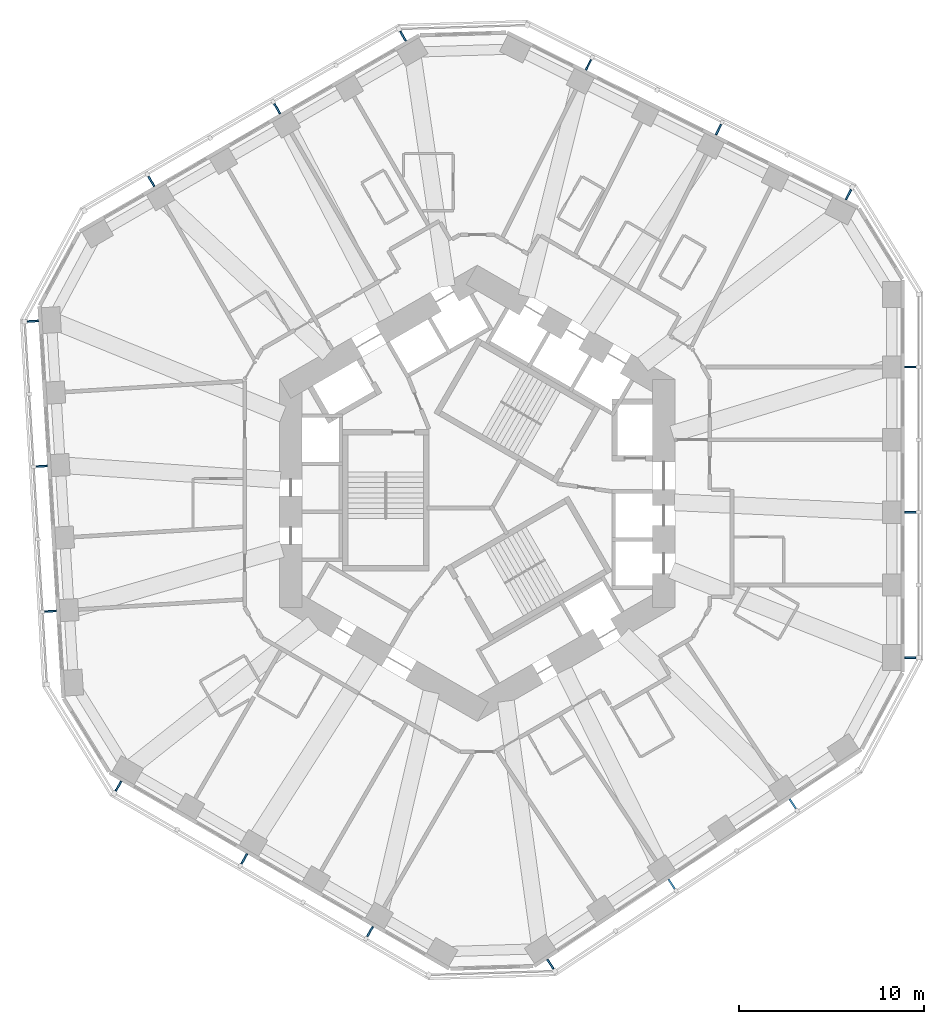
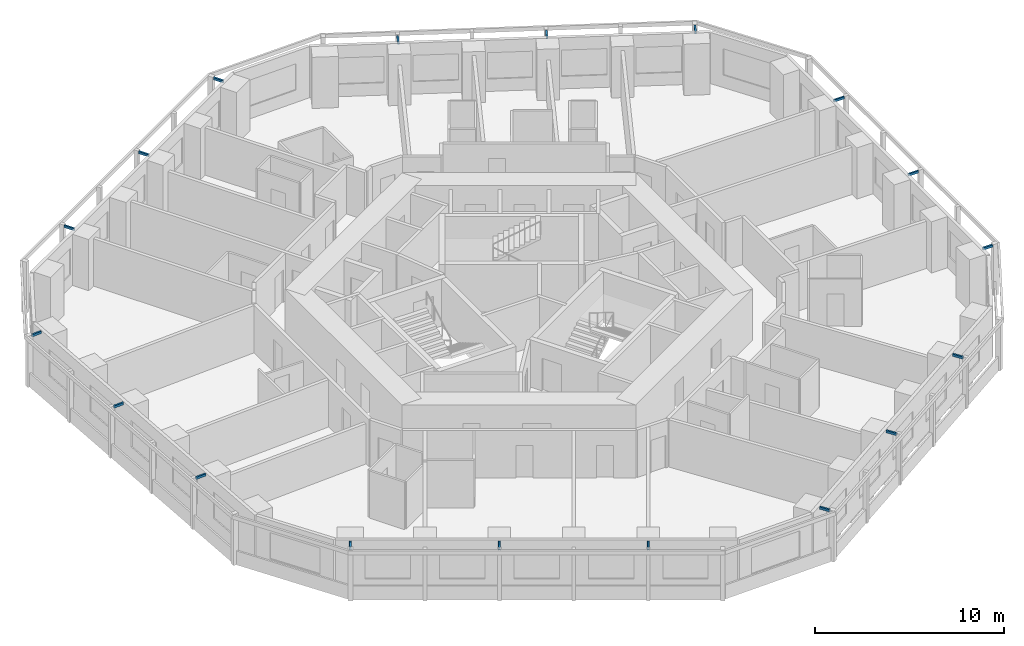
# One storey, part 11 of 12: 18 discrete accessories.
"""IFC4 building model written with IfcOpenShell, lengths in metres."""

from ifc_helpers import new_model, si_unit, direction, frame, origin, origin_2d, place, context, subcontext, project, spatial, rectangle, extrude, material, type_object, element, save


model = new_model("IFC4")

# Units and contexts
model_context = context("Model", 3, precision=1e-05, world=origin(), true_north=direction((0.0, 1.0)))
body_context = subcontext(model_context, "Body", "Model", "MODEL_VIEW")
ifc_project = project(units=[si_unit("LENGTHUNIT", "METRE"), si_unit("AREAUNIT", "SQUARE_METRE"), si_unit("VOLUMEUNIT", "CUBIC_METRE"), si_unit("PLANEANGLEUNIT", "RADIAN"), si_unit("MASSUNIT", "GRAM", prefix="KILO")], contexts=[model_context])

# Site, building, storey
site_placement = place(None, origin())
site = spatial("IfcSite", under=ifc_project, at=site_placement, CompositionType="ELEMENT")
building_placement = place(site_placement, origin())
building = spatial("IfcBuilding", under=site, at=building_placement, Name="Vanh Sen Convention Tower", CompositionType="ELEMENT")
storey_placement = place(building_placement, frame((0.0, 0.0, 67.10009765625)))
storey = spatial("IfcBuildingStorey", under=building, at=storey_placement, Name="L14", CompositionType="ELEMENT", Elevation=67.10009765625)

# Discrete accessories
ifc_material = material(Name="Steel S355", Category="steel")
discrete_accessory_type = type_object("IfcDiscreteAccessoryType", Name="Fin bracket 100 x 150", PredefinedType="BRACKET", material=ifc_material)
discrete_accessory_1_placement = place(storey_placement, frame((23.449951171875, -8.899169921875, 3.099853515625), z_axis=(0.0, 0.0, 1.0), x_axis=(1.0, 0.0, 0.0)))
element("IfcDiscreteAccessory", 1, at=discrete_accessory_1_placement, inside=storey, type_object=discrete_accessory_type, Name="Fin bracket E-1 L14", PredefinedType="BRACKET", context=body_context, shape_type="SweptSolid", body=[
    extrude(rectangle(XDim=0.60009765625, YDim=0.10009765625, at=origin_2d()), origin(), (0.0, 0.0, 1.0), 0.14990234375),
])
for number, where, z_axis, x_axis, name in (
    (2, (23.46240234375, -1.030029296875, 3.099853515625), (0.0, 0.0, 1.0), (1.0, 0.0, 0.0), "Fin bracket E-3 L14"),
    (3, (23.46240234375, 6.839111328125, 3.099853515625), (0.0, 0.0, 1.0), (1.0, 0.0, 0.0), "Fin bracket E-5 L14"),
):
    element("IfcDiscreteAccessory", number, at=place(storey_placement, frame(where, z_axis=z_axis, x_axis=x_axis)), inside=storey, type_object=discrete_accessory_type, Name=name, PredefinedType="BRACKET", context=body_context, shape_type="SweptSolid", body=[
        extrude(rectangle(XDim=0.625, YDim=0.10009765625, at=origin_2d()), origin(), (0.0, 0.0, 1.0), 0.14990234375),
    ])
discrete_accessory_2_placement = place(storey_placement, frame((20.10498046875, 16.178955078125, 3.099853515625), z_axis=(0.0, 0.0, 1.0), x_axis=(0.44619781311, 0.894934361602, 0.0)))
element("IfcDiscreteAccessory", 4, at=discrete_accessory_2_placement, inside=storey, type_object=discrete_accessory_type, Name="Fin bracket NE-1 L14", PredefinedType="BRACKET", context=body_context, shape_type="SweptSolid", body=[
    extrude(rectangle(XDim=0.60009765625, YDim=0.10009765625, at=origin_2d()), origin(), (0.0, 0.0, 1.0), 0.14990234375),
])
for number, where, z_axis, x_axis, name in (
    (5, (13.068359375, 19.701416015625, 3.099853515625), (0.0, 0.0, 1.0), (0.44619781311, 0.894934361602, 0.0), "Fin bracket NE-3 L14"),
    (6, (6.02587890625, 23.212646484375, 3.099853515625), (0.0, 0.0, 1.0), (0.44619781311, 0.894934361602, 0.0), "Fin bracket NE-5 L14"),
):
    element("IfcDiscreteAccessory", number, at=place(storey_placement, frame(where, z_axis=z_axis, x_axis=x_axis)), inside=storey, type_object=discrete_accessory_type, Name=name, PredefinedType="BRACKET", context=body_context, shape_type="SweptSolid", body=[
        extrude(rectangle(XDim=0.625, YDim=0.10009765625, at=origin_2d()), origin(), (0.0, 0.0, 1.0), 0.14990234375),
    ])
discrete_accessory_3_placement = place(storey_placement, frame((-4.01806640625, 24.7578125, 3.099853515625), z_axis=(0.0, 0.0, 1.0), x_axis=(-0.5, 0.866025403784, 0.0)))
element("IfcDiscreteAccessory", 7, at=discrete_accessory_3_placement, inside=storey, type_object=discrete_accessory_type, Name="Fin bracket NW-1 L14", PredefinedType="BRACKET", context=body_context, shape_type="SweptSolid", body=[
    extrude(rectangle(XDim=0.60009765625, YDim=0.10009765625, at=origin_2d()), origin(), (0.0, 0.0, 1.0), 0.14990234375),
])
for number, where, z_axis, x_axis, name in (
    (8, (-10.839111328125, 20.834228515625, 3.099853515625), (0.0, 0.0, 1.0), (-0.5, 0.866025403784, 0.0), "Fin bracket NW-3 L14"),
    (9, (-17.654296875, 16.899658203125, 3.099853515625), (0.0, 0.0, 1.0), (-0.5, 0.866025403784, 0.0), "Fin bracket NW-5 L14"),
):
    element("IfcDiscreteAccessory", number, at=place(storey_placement, frame(where, z_axis=z_axis, x_axis=x_axis)), inside=storey, type_object=discrete_accessory_type, Name=name, PredefinedType="BRACKET", context=body_context, shape_type="SweptSolid", body=[
        extrude(rectangle(XDim=0.625, YDim=0.10009765625, at=origin_2d()), origin(), (0.0, 0.0, 1.0), 0.14990234375),
    ])
discrete_accessory_4_placement = place(storey_placement, frame((-24.06396484375, 9.322021484375, 3.099853515625), z_axis=(0.0, 0.0, 1.0), x_axis=(-0.998134798422, -0.061048539535, 0.0)))
element("IfcDiscreteAccessory", 10, at=discrete_accessory_4_placement, inside=storey, type_object=discrete_accessory_type, Name="Fin bracket W-1 L14", PredefinedType="BRACKET", context=body_context, shape_type="SweptSolid", body=[
    extrude(rectangle(XDim=0.60009765625, YDim=0.10009765625, at=origin_2d()), origin(), (0.0, 0.0, 1.0), 0.14990234375),
])
for number, where, z_axis, x_axis, name in (
    (11, (-23.595947265625, 1.466796875, 3.099853515625), (0.0, 0.0, 1.0), (-0.998134798422, -0.061048539535, 0.0), "Fin bracket W-3 L14"),
    (12, (-23.115478515625, -6.3876953125, 3.099853515625), (0.0, 0.0, 1.0), (-0.998134798422, -0.061048539535, 0.0), "Fin bracket W-5 L14"),
):
    element("IfcDiscreteAccessory", number, at=place(storey_placement, frame(where, z_axis=z_axis, x_axis=x_axis)), inside=storey, type_object=discrete_accessory_type, Name=name, PredefinedType="BRACKET", context=body_context, shape_type="SweptSolid", body=[
        extrude(rectangle(XDim=0.625, YDim=0.10009765625, at=origin_2d()), origin(), (0.0, 0.0, 1.0), 0.14990234375),
    ])
discrete_accessory_5_placement = place(storey_placement, frame((-19.431884765625, -15.858642578125, 3.099853515625), z_axis=(0.0, 0.0, 1.0), x_axis=(-0.5, -0.866025403784, 0.0)))
element("IfcDiscreteAccessory", 13, at=discrete_accessory_5_placement, inside=storey, type_object=discrete_accessory_type, Name="Fin bracket SW-1 L14", PredefinedType="BRACKET", context=body_context, shape_type="SweptSolid", body=[
    extrude(rectangle(XDim=0.60009765625, YDim=0.10009765625, at=origin_2d()), origin(), (0.0, 0.0, 1.0), 0.14990234375),
])
for number, where, z_axis, x_axis, name in (
    (14, (-12.623291015625, -19.80419921875, 3.099853515625), (0.0, 0.0, 1.0), (-0.5, -0.866025403784, 0.0), "Fin bracket SW-3 L14"),
    (15, (-5.808349609375, -23.73876953125, 3.099853515625), (0.0, 0.0, 1.0), (-0.5, -0.866025403784, 0.0), "Fin bracket SW-5 L14"),
):
    element("IfcDiscreteAccessory", number, at=place(storey_placement, frame(where, z_axis=z_axis, x_axis=x_axis)), inside=storey, type_object=discrete_accessory_type, Name=name, PredefinedType="BRACKET", context=body_context, shape_type="SweptSolid", body=[
        extrude(rectangle(XDim=0.625, YDim=0.10009765625, at=origin_2d()), origin(), (0.0, 0.0, 1.0), 0.14990234375),
    ])
discrete_accessory_6_placement = place(storey_placement, frame((3.958740234375, -25.5009765625, 3.099853515625), z_axis=(0.0, 0.0, 1.0), x_axis=(0.551936985312, -0.833885822067, 0.0)))
element("IfcDiscreteAccessory", 16, at=discrete_accessory_6_placement, inside=storey, type_object=discrete_accessory_type, Name="Fin bracket SE-1 L14", PredefinedType="BRACKET", context=body_context, shape_type="SweptSolid", body=[
    extrude(rectangle(XDim=0.60009765625, YDim=0.10009765625, at=origin_2d()), origin(), (0.0, 0.0, 1.0), 0.14990234375),
])
for number, where, z_axis, x_axis, name in (
    (17, (10.527587890625, -21.168212890625, 3.099853515625), (0.0, 0.0, 1.0), (0.551936985312, -0.833885822067, 0.0), "Fin bracket SE-3 L14"),
    (18, (17.089599609375, -16.824951171875, 3.099853515625), (0.0, 0.0, 1.0), (0.551936985312, -0.833885822067, 0.0), "Fin bracket SE-5 L14"),
):
    element("IfcDiscreteAccessory", number, at=place(storey_placement, frame(where, z_axis=z_axis, x_axis=x_axis)), inside=storey, type_object=discrete_accessory_type, Name=name, PredefinedType="BRACKET", context=body_context, shape_type="SweptSolid", body=[
        extrude(rectangle(XDim=0.625, YDim=0.10009765625, at=origin_2d()), origin(), (0.0, 0.0, 1.0), 0.14990234375),
    ])

save(model, "model.ifc")
